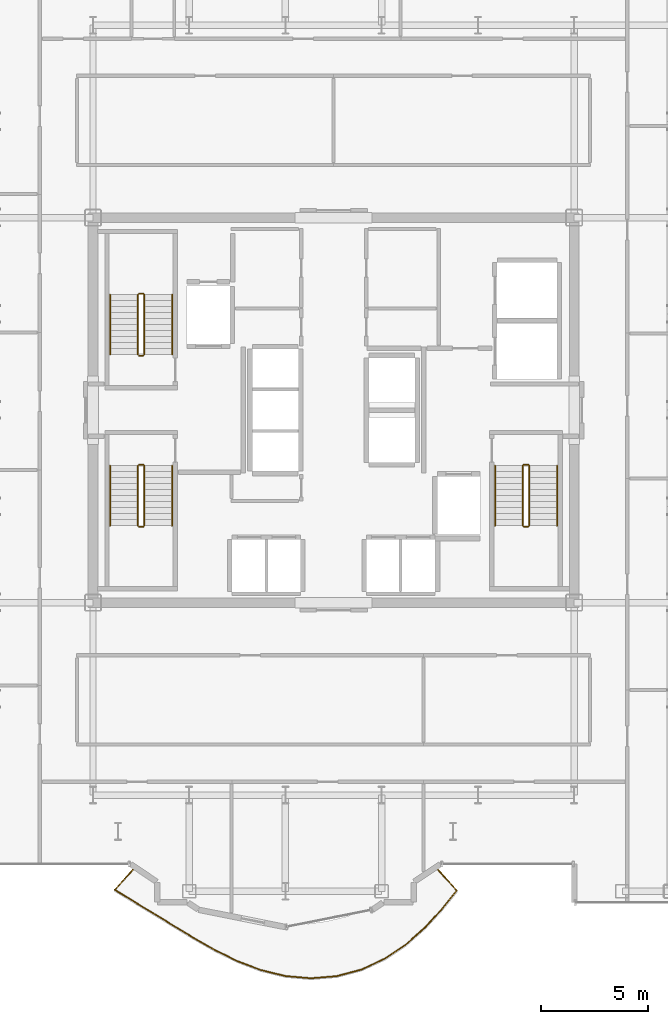
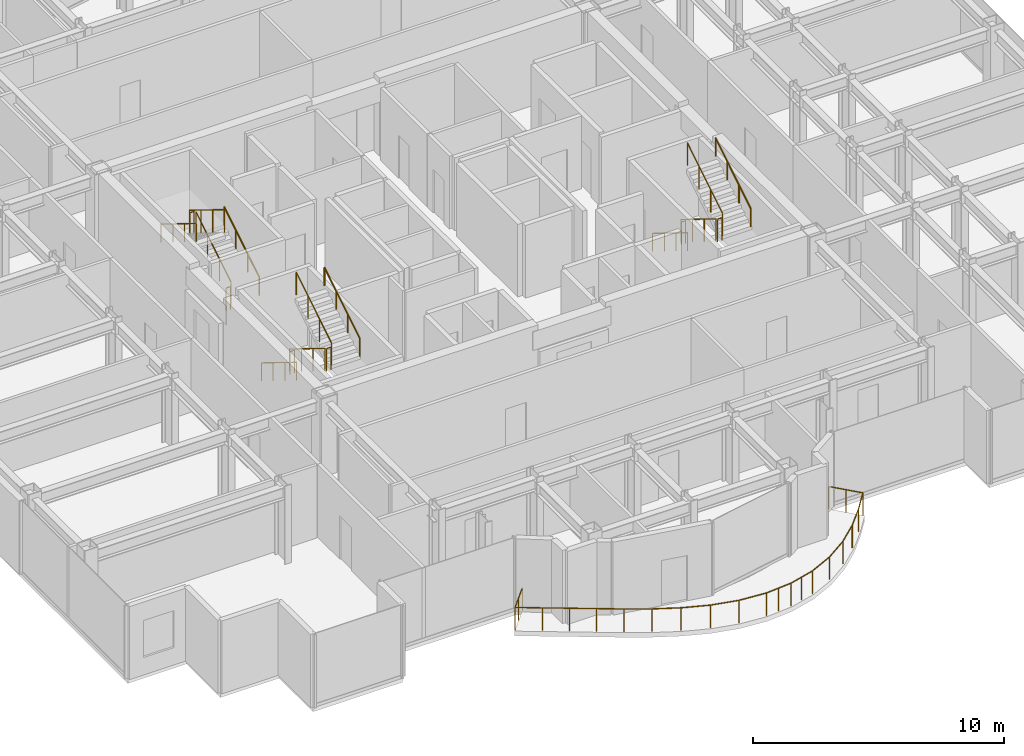
# One storey, part 21 of 22: 19 railings.
"""IFC4 building model written with IfcOpenShell, lengths in metres."""

from ifc_helpers import new_model, si_unit, direction, frame, origin, origin_2d, place, context, subcontext, project, spatial, circle, extrude, material, type_object, element, save


model = new_model("IFC4")

# Units and contexts
model_context = context("Model", 3, precision=1e-05, world=origin(), true_north=direction((0.0, 1.0)))
body_context = subcontext(model_context, "Body", "Model", "MODEL_VIEW")
ifc_project = project(units=[si_unit("LENGTHUNIT", "METRE"), si_unit("AREAUNIT", "SQUARE_METRE"), si_unit("VOLUMEUNIT", "CUBIC_METRE"), si_unit("PLANEANGLEUNIT", "RADIAN"), si_unit("MASSUNIT", "GRAM", prefix="KILO")], contexts=[model_context])

# Site, building, storey
site_placement = place(None, origin())
site = spatial("IfcSite", under=ifc_project, at=site_placement, CompositionType="ELEMENT")
building_placement = place(site_placement, origin())
building = spatial("IfcBuilding", under=site, at=building_placement, Name="Nefas-Gora Pilgrimage Tower", CompositionType="ELEMENT")
storey_placement = place(building_placement, frame((0.0, 0.0, 218.0)))
storey = spatial("IfcBuildingStorey", under=building, at=storey_placement, Name="L54", CompositionType="ELEMENT", Elevation=218.0)

# Railings
ifc_material_1 = material(Name="Laminated safety glass and stainless steel", Category="steel")
railing_type_1 = type_object("IfcRailingType", Name="RLG-BAL-1100", PredefinedType="BALUSTRADE", material=ifc_material_1)
railing_1_placement = place(storey_placement, frame((-9.302490234375, -21.402587890625, 0.0)))
element("IfcRailing", 1, at=railing_1_placement, inside=storey, type_object=railing_type_1, Name="L54 Wave Balcony Balustrade S2", PredefinedType="BALUSTRADE", context=body_context, shape_type="SweptSolid", body=[
    extrude(circle(Radius=0.02392578125, at=origin_2d()), frame((0.0, 0.0, 1.09619140625), z_axis=(-0.669217868333, -0.743066245165, 0.0), x_axis=(0.743066245165, -0.669217868333, 0.0)), (0.0, 0.0, 1.0), 1.38525390625),
    extrude(circle(Radius=0.02392578125, at=origin_2d()), frame((-0.927001953125, -1.029296875, 1.09619140625), z_axis=(0.852658885571, -0.522468013238, 0.0), x_axis=(0.522468013238, 0.852658885571, 0.0)), (0.0, 0.0, 1.0), 1.095703125),
    extrude(circle(Radius=0.02392578125, at=origin_2d()), frame((0.00732421875, -1.601806640625, 1.09619140625), z_axis=(0.855124780813, -0.518422230657, 0.0), x_axis=(0.518422230657, 0.855124780813, 0.0)), (0.0, 0.0, 1.0), 1.077392578125),
    extrude(circle(Radius=0.02392578125, at=origin_2d()), frame((0.9287109375, -2.160400390625, 1.09619140625), z_axis=(0.852777131159, -0.522274989418, 0.0), x_axis=(0.522274989418, 0.852777131159, 0.0)), (0.0, 0.0, 1.0), 1.076904296875),
    extrude(circle(Radius=0.02392578125, at=origin_2d()), frame((1.84716796875, -2.722900390625, 1.09619140625), z_axis=(0.854684994475, -0.519146954358, 0.0), x_axis=(0.519146954358, 0.854684994475, 0.0)), (0.0, 0.0, 1.0), 1.09423828125),
    extrude(circle(Radius=0.02392578125, at=origin_2d()), frame((2.782470703125, -3.291015625, 1.09619140625), z_axis=(0.868857666147, -0.495061971856, 0.0), x_axis=(0.495061971856, 0.868857666147, 0.0)), (0.0, 0.0, 1.0), 1.123291015625),
    extrude(circle(Radius=0.02392578125, at=origin_2d()), frame((3.758544921875, -3.84716796875, 1.09619140625), z_axis=(0.896659173932, -0.442721499142, 0.0), x_axis=(0.442721499142, 0.896659173932, 0.0)), (0.0, 0.0, 1.0), 1.153564453125),
    extrude(circle(Radius=0.02392578125, at=origin_2d()), frame((4.79296875, -4.35791015625, 1.09619140625), z_axis=(0.934122957215, -0.356951398377, 0.0), x_axis=(0.356951398377, 0.934122957215, 0.0)), (0.0, 0.0, 1.0), 1.178466796875),
    extrude(circle(Radius=0.02392578125, at=origin_2d()), frame((5.893798828125, -4.778564453125, 1.09619140625), z_axis=(0.97145249085, -0.237234183922, 0.0), x_axis=(0.237234183922, 0.97145249085, 0.0)), (0.0, 0.0, 1.0), 1.192626953125),
    extrude(circle(Radius=0.02392578125, at=origin_2d()), frame((7.052490234375, -5.0615234375, 1.09619140625), z_axis=(0.99619460159, -0.087156845765, 0.0), x_axis=(0.087156845765, 0.99619460159, 0.0)), (0.0, 0.0, 1.0), 1.198974609375),
    extrude(circle(Radius=0.02392578125, at=origin_2d()), frame((8.246826171875, -5.166015625, 1.09619140625), z_axis=(0.996586307441, 0.082557445587, 0.0), x_axis=(-0.082557445587, 0.996586307441, 0.0)), (0.0, 0.0, 1.0), 1.20068359375),
    extrude(circle(Radius=0.02392578125, at=origin_2d()), frame((9.443359375, -5.06689453125, 1.09619140625), z_axis=(0.966180913081, 0.257865164763, 0.0), x_axis=(-0.257865164763, 0.966180913081, 0.0)), (0.0, 0.0, 1.0), 1.200439453125),
    extrude(circle(Radius=0.02392578125, at=origin_2d()), frame((10.603271484375, -4.75732421875, 1.09619140625), z_axis=(0.907111664378, 0.420890043063, 0.0), x_axis=(-0.420890043063, 0.907111664378, 0.0)), (0.0, 0.0, 1.0), 1.199462890625),
    extrude(circle(Radius=0.02392578125, at=origin_2d()), frame((11.69140625, -4.25244140625, 1.09619140625), z_axis=(0.829780590571, 0.558089752201, 0.0), x_axis=(-0.558089752201, 0.829780590571, 0.0)), (0.0, 0.0, 1.0), 1.195068359375),
    extrude(circle(Radius=0.02392578125, at=origin_2d()), frame((12.68310546875, -3.58544921875, 1.09619140625), z_axis=(0.748330645695, 0.663325896308, 0.0), x_axis=(-0.663325896308, 0.748330645695, 0.0)), (0.0, 0.0, 1.0), 1.183349609375),
    extrude(circle(Radius=0.02392578125, at=origin_2d()), frame((13.568603515625, -2.800537109375, 1.09619140625), z_axis=(0.676400344051, 0.736534163883, 0.0), x_axis=(-0.736534163883, 0.676400344051, 0.0)), (0.0, 0.0, 1.0), 1.1611328125),
    extrude(circle(Radius=0.02392578125, at=origin_2d()), frame((14.35400390625, -1.9453125, 1.09619140625), z_axis=(0.624326656169, 0.781163380092, 0.0), x_axis=(-0.781163380092, 0.624326656169, 0.0)), (0.0, 0.0, 1.0), 1.131591796875),
    extrude(circle(Radius=0.02392578125, at=origin_2d()), frame((15.060546875, -1.061279296875, 1.09619140625), z_axis=(-0.669125283262, 0.743149618381, 0.0), x_axis=(-0.743149618381, -0.669125283262, 0.0)), (0.0, 0.0, 1.0), 1.427978515625),
    extrude(circle(Radius=0.02099609375, at=origin_2d()), origin(), (0.0, 0.0, 1.0), 1.072021484375),
    extrude(circle(Radius=0.02099609375, at=origin_2d()), frame((-0.46337890625, -0.5146484375, 0.0)), (0.0, 0.0, 1.0), 1.072021484375),
    extrude(circle(Radius=0.02099609375, at=origin_2d()), frame((-0.927001953125, -1.029296875, 0.0)), (0.0, 0.0, 1.0), 1.072021484375),
    extrude(circle(Radius=0.02099609375, at=origin_2d()), frame((0.00732421875, -1.601806640625, 0.0)), (0.0, 0.0, 1.0), 1.072021484375),
    extrude(circle(Radius=0.02099609375, at=origin_2d()), frame((0.9287109375, -2.160400390625, 0.0)), (0.0, 0.0, 1.0), 1.072021484375),
    extrude(circle(Radius=0.02099609375, at=origin_2d()), frame((1.84716796875, -2.722900390625, 0.0)), (0.0, 0.0, 1.0), 1.072021484375),
    extrude(circle(Radius=0.02099609375, at=origin_2d()), frame((2.782470703125, -3.291015625, 0.0)), (0.0, 0.0, 1.0), 1.072021484375),
    extrude(circle(Radius=0.02099609375, at=origin_2d()), frame((3.758544921875, -3.84716796875, 0.0)), (0.0, 0.0, 1.0), 1.072021484375),
    extrude(circle(Radius=0.02099609375, at=origin_2d()), frame((4.79296875, -4.35791015625, 0.0)), (0.0, 0.0, 1.0), 1.072021484375),
    extrude(circle(Radius=0.02099609375, at=origin_2d()), frame((5.893798828125, -4.778564453125, 0.0)), (0.0, 0.0, 1.0), 1.072021484375),
    extrude(circle(Radius=0.02099609375, at=origin_2d()), frame((7.052490234375, -5.0615234375, 0.0)), (0.0, 0.0, 1.0), 1.072021484375),
    extrude(circle(Radius=0.02099609375, at=origin_2d()), frame((8.246826171875, -5.166015625, 0.0)), (0.0, 0.0, 1.0), 1.072021484375),
    extrude(circle(Radius=0.02099609375, at=origin_2d()), frame((8.84521484375, -5.116455078125, 0.0)), (0.0, 0.0, 1.0), 1.072021484375),
    extrude(circle(Radius=0.02099609375, at=origin_2d()), frame((9.443359375, -5.06689453125, 0.0)), (0.0, 0.0, 1.0), 1.072021484375),
    extrude(circle(Radius=0.02099609375, at=origin_2d()), frame((10.0234375, -4.912109375, 0.0)), (0.0, 0.0, 1.0), 1.072021484375),
    extrude(circle(Radius=0.02099609375, at=origin_2d()), frame((10.603271484375, -4.75732421875, 0.0)), (0.0, 0.0, 1.0), 1.072021484375),
    extrude(circle(Radius=0.02099609375, at=origin_2d()), frame((11.69140625, -4.25244140625, 0.0)), (0.0, 0.0, 1.0), 1.072021484375),
    extrude(circle(Radius=0.02099609375, at=origin_2d()), frame((12.68310546875, -3.58544921875, 0.0)), (0.0, 0.0, 1.0), 1.072021484375),
    extrude(circle(Radius=0.02099609375, at=origin_2d()), frame((13.568603515625, -2.800537109375, 0.0)), (0.0, 0.0, 1.0), 1.072021484375),
    extrude(circle(Radius=0.02099609375, at=origin_2d()), frame((14.35400390625, -1.9453125, 0.0)), (0.0, 0.0, 1.0), 1.072021484375),
    extrude(circle(Radius=0.02099609375, at=origin_2d()), frame((15.060546875, -1.061279296875, 0.0)), (0.0, 0.0, 1.0), 1.072021484375),
    extrude(circle(Radius=0.02099609375, at=origin_2d()), frame((14.582763671875, -0.53076171875, 0.0)), (0.0, 0.0, 1.0), 1.072021484375),
    extrude(circle(Radius=0.02099609375, at=origin_2d()), frame((14.10498046875, 0.0, 0.0)), (0.0, 0.0, 1.0), 1.072021484375),
])
ifc_material_2 = material(Name="Painted galvanised steel", Category="steel")
railing_type_2 = type_object("IfcRailingType", Name="RLG-STR-GUARD-1100", PredefinedType="GUARDRAIL", material=ifc_material_2)
railing_2_placement = place(storey_placement, frame((-8.85009765625, 2.60009765625, 0.172607421875)))
element("IfcRailing", 2, at=railing_2_placement, inside=storey, type_object=railing_type_2, Name="L54 ST-01 stair guard 1", PredefinedType="GUARDRAIL", context=body_context, shape_type="SweptSolid", body=[
    extrude(circle(Radius=0.02392578125, at=origin_2d()), frame((0.0, 0.0, 1.09619140625), z_axis=(0.0, 0.851069175582, 0.525053576669), x_axis=(-1.0, 0.0, 0.0)), (0.0, 0.0, 1.0), 3.289794921875),
    extrude(circle(Radius=0.02099609375, at=origin_2d()), origin(), (0.0, 0.0, 1.0), 1.072021484375),
    extrude(circle(Radius=0.02099609375, at=origin_2d()), frame((0.0, 0.933349609375, 0.57568359375)), (0.0, 0.0, 1.0), 1.072021484375),
    extrude(circle(Radius=0.02099609375, at=origin_2d()), frame((0.0, 1.866455078125, 1.151611328125)), (0.0, 0.0, 1.0), 1.072021484375),
    extrude(circle(Radius=0.02099609375, at=origin_2d()), frame((0.0, 2.7998046875, 1.727294921875)), (0.0, 0.0, 1.0), 1.072021484375),
])
railing_3_placement = place(storey_placement, frame((-8.89990234375, 5.449951171875, 1.89990234375)))
element("IfcRailing", 3, at=railing_3_placement, inside=storey, type_object=railing_type_2, Name="L54 ST-01 stair guard 2", PredefinedType="GUARDRAIL", context=body_context, shape_type="SweptSolid", body=[
    extrude(circle(Radius=0.02392578125, at=origin_2d()), frame((0.0, 0.0, 1.09619140625), z_axis=(-1.0, 0.0, 0.0), x_axis=(0.0, -1.0, 0.0)), (0.0, 0.0, 1.0), 0.2001953125),
    extrude(circle(Radius=0.02099609375, at=origin_2d()), origin(), (0.0, 0.0, 1.0), 1.072021484375),
    extrude(circle(Radius=0.02099609375, at=origin_2d()), frame((-0.2001953125, 0.0, 0.0)), (0.0, 0.0, 1.0), 1.072021484375),
])
railing_4_placement = place(storey_placement, frame((-9.14990234375, 5.39990234375, 2.07275390625)))
element("IfcRailing", 4, at=railing_4_placement, inside=storey, type_object=railing_type_2, Name="L54 ST-01 stair guard 3", PredefinedType="GUARDRAIL", context=body_context, shape_type="SweptSolid", body=[
    extrude(circle(Radius=0.02392578125, at=origin_2d()), frame((0.0, 0.0, 1.09619140625), z_axis=(0.0, -0.851069175582, 0.525053576669), x_axis=(1.0, 0.0, 0.0)), (0.0, 0.0, 1.0), 3.289794921875),
    extrude(circle(Radius=0.02099609375, at=origin_2d()), origin(), (0.0, 0.0, 1.0), 1.072021484375),
    extrude(circle(Radius=0.02099609375, at=origin_2d()), frame((0.0, -0.933349609375, 0.57568359375)), (0.0, 0.0, 1.0), 1.072021484375),
    extrude(circle(Radius=0.02099609375, at=origin_2d()), frame((0.0, -1.866455078125, 1.151611328125)), (0.0, 0.0, 1.0), 1.072021484375),
    extrude(circle(Radius=0.02099609375, at=origin_2d()), frame((0.0, -2.7998046875, 1.727294921875)), (0.0, 0.0, 1.0), 1.072021484375),
])
railing_5_placement = place(storey_placement, frame((-8.89990234375, 2.550048828125, 0.0)))
element("IfcRailing", 5, at=railing_5_placement, inside=storey, type_object=railing_type_2, Name="L54 ST-01 stair guard 4", PredefinedType="GUARDRAIL", context=body_context, shape_type="SweptSolid", body=[
    extrude(circle(Radius=0.02392578125, at=origin_2d()), frame((0.0, 0.0, 1.09619140625), z_axis=(-1.0, 0.0, 0.0), x_axis=(0.0, -1.0, 0.0)), (0.0, 0.0, 1.0), 0.2001953125),
    extrude(circle(Radius=0.02099609375, at=origin_2d()), origin(), (0.0, 0.0, 1.0), 1.072021484375),
    extrude(circle(Radius=0.02099609375, at=origin_2d()), frame((-0.2001953125, 0.0, 0.0)), (0.0, 0.0, 1.0), 1.072021484375),
])
railing_6_placement = place(storey_placement, frame((8.85009765625, -2.60009765625, 0.172607421875)))
element("IfcRailing", 6, at=railing_6_placement, inside=storey, type_object=railing_type_2, Name="L54 ST-02 stair guard 1", PredefinedType="GUARDRAIL", context=body_context, shape_type="SweptSolid", body=[
    extrude(circle(Radius=0.02392578125, at=origin_2d()), frame((0.0, 0.0, 1.09619140625), z_axis=(0.0, -0.851069175582, 0.525053576669), x_axis=(1.0, 0.0, 0.0)), (0.0, 0.0, 1.0), 3.289794921875),
    extrude(circle(Radius=0.02099609375, at=origin_2d()), origin(), (0.0, 0.0, 1.0), 1.072021484375),
    extrude(circle(Radius=0.02099609375, at=origin_2d()), frame((0.0, -0.933349609375, 0.57568359375)), (0.0, 0.0, 1.0), 1.072021484375),
    extrude(circle(Radius=0.02099609375, at=origin_2d()), frame((0.0, -1.866455078125, 1.151611328125)), (0.0, 0.0, 1.0), 1.072021484375),
    extrude(circle(Radius=0.02099609375, at=origin_2d()), frame((0.0, -2.7998046875, 1.727294921875)), (0.0, 0.0, 1.0), 1.072021484375),
])
railing_7_placement = place(storey_placement, frame((8.89990234375, -5.449951171875, 1.89990234375)))
element("IfcRailing", 7, at=railing_7_placement, inside=storey, type_object=railing_type_2, Name="L54 ST-02 stair guard 2", PredefinedType="GUARDRAIL", context=body_context, shape_type="SweptSolid", body=[
    extrude(circle(Radius=0.02392578125, at=origin_2d()), frame((0.0, 0.0, 1.09619140625), z_axis=(1.0, 0.0, 0.0), x_axis=(0.0, 1.0, 0.0)), (0.0, 0.0, 1.0), 0.2001953125),
    extrude(circle(Radius=0.02099609375, at=origin_2d()), origin(), (0.0, 0.0, 1.0), 1.072021484375),
    extrude(circle(Radius=0.02099609375, at=origin_2d()), frame((0.2001953125, 0.0, 0.0)), (0.0, 0.0, 1.0), 1.072021484375),
])
railing_8_placement = place(storey_placement, frame((9.14990234375, -5.39990234375, 2.07275390625)))
element("IfcRailing", 8, at=railing_8_placement, inside=storey, type_object=railing_type_2, Name="L54 ST-02 stair guard 3", PredefinedType="GUARDRAIL", context=body_context, shape_type="SweptSolid", body=[
    extrude(circle(Radius=0.02392578125, at=origin_2d()), frame((0.0, 0.0, 1.09619140625), z_axis=(0.0, 0.851069175582, 0.525053576669), x_axis=(-1.0, 0.0, 0.0)), (0.0, 0.0, 1.0), 3.289794921875),
    extrude(circle(Radius=0.02099609375, at=origin_2d()), origin(), (0.0, 0.0, 1.0), 1.072021484375),
    extrude(circle(Radius=0.02099609375, at=origin_2d()), frame((0.0, 0.933349609375, 0.57568359375)), (0.0, 0.0, 1.0), 1.072021484375),
    extrude(circle(Radius=0.02099609375, at=origin_2d()), frame((0.0, 1.866455078125, 1.151611328125)), (0.0, 0.0, 1.0), 1.072021484375),
    extrude(circle(Radius=0.02099609375, at=origin_2d()), frame((0.0, 2.7998046875, 1.727294921875)), (0.0, 0.0, 1.0), 1.072021484375),
])
railing_9_placement = place(storey_placement, frame((8.89990234375, -2.550048828125, 0.0)))
element("IfcRailing", 9, at=railing_9_placement, inside=storey, type_object=railing_type_2, Name="L54 ST-02 stair guard 4", PredefinedType="GUARDRAIL", context=body_context, shape_type="SweptSolid", body=[
    extrude(circle(Radius=0.02392578125, at=origin_2d()), frame((0.0, 0.0, 1.09619140625), z_axis=(1.0, 0.0, 0.0), x_axis=(0.0, 1.0, 0.0)), (0.0, 0.0, 1.0), 0.2001953125),
    extrude(circle(Radius=0.02099609375, at=origin_2d()), origin(), (0.0, 0.0, 1.0), 1.072021484375),
    extrude(circle(Radius=0.02099609375, at=origin_2d()), frame((0.2001953125, 0.0, 0.0)), (0.0, 0.0, 1.0), 1.072021484375),
])
railing_10_placement = place(storey_placement, frame((-9.14990234375, -2.60009765625, 0.172607421875)))
element("IfcRailing", 10, at=railing_10_placement, inside=storey, type_object=railing_type_2, Name="L54 ST-03 stair guard 1", PredefinedType="GUARDRAIL", context=body_context, shape_type="SweptSolid", body=[
    extrude(circle(Radius=0.02392578125, at=origin_2d()), frame((0.0, 0.0, 1.09619140625), z_axis=(0.0, -0.851069175582, 0.525053576669), x_axis=(1.0, 0.0, 0.0)), (0.0, 0.0, 1.0), 3.289794921875),
    extrude(circle(Radius=0.02099609375, at=origin_2d()), origin(), (0.0, 0.0, 1.0), 1.072021484375),
    extrude(circle(Radius=0.02099609375, at=origin_2d()), frame((0.0, -0.933349609375, 0.57568359375)), (0.0, 0.0, 1.0), 1.072021484375),
    extrude(circle(Radius=0.02099609375, at=origin_2d()), frame((0.0, -1.866455078125, 1.151611328125)), (0.0, 0.0, 1.0), 1.072021484375),
    extrude(circle(Radius=0.02099609375, at=origin_2d()), frame((0.0, -2.7998046875, 1.727294921875)), (0.0, 0.0, 1.0), 1.072021484375),
])
railing_11_placement = place(storey_placement, frame((-9.10009765625, -5.449951171875, 1.89990234375)))
element("IfcRailing", 11, at=railing_11_placement, inside=storey, type_object=railing_type_2, Name="L54 ST-03 stair guard 2", PredefinedType="GUARDRAIL", context=body_context, shape_type="SweptSolid", body=[
    extrude(circle(Radius=0.02392578125, at=origin_2d()), frame((0.0, 0.0, 1.09619140625), z_axis=(1.0, 0.0, 0.0), x_axis=(0.0, 1.0, 0.0)), (0.0, 0.0, 1.0), 0.2001953125),
    extrude(circle(Radius=0.02099609375, at=origin_2d()), origin(), (0.0, 0.0, 1.0), 1.072021484375),
    extrude(circle(Radius=0.02099609375, at=origin_2d()), frame((0.2001953125, 0.0, 0.0)), (0.0, 0.0, 1.0), 1.072021484375),
])
railing_12_placement = place(storey_placement, frame((-8.85009765625, -5.39990234375, 2.07275390625)))
element("IfcRailing", 12, at=railing_12_placement, inside=storey, type_object=railing_type_2, Name="L54 ST-03 stair guard 3", PredefinedType="GUARDRAIL", context=body_context, shape_type="SweptSolid", body=[
    extrude(circle(Radius=0.02392578125, at=origin_2d()), frame((0.0, 0.0, 1.09619140625), z_axis=(0.0, 0.851069175582, 0.525053576669), x_axis=(-1.0, 0.0, 0.0)), (0.0, 0.0, 1.0), 3.289794921875),
    extrude(circle(Radius=0.02099609375, at=origin_2d()), origin(), (0.0, 0.0, 1.0), 1.072021484375),
    extrude(circle(Radius=0.02099609375, at=origin_2d()), frame((0.0, 0.933349609375, 0.57568359375)), (0.0, 0.0, 1.0), 1.072021484375),
    extrude(circle(Radius=0.02099609375, at=origin_2d()), frame((0.0, 1.866455078125, 1.151611328125)), (0.0, 0.0, 1.0), 1.072021484375),
    extrude(circle(Radius=0.02099609375, at=origin_2d()), frame((0.0, 2.7998046875, 1.727294921875)), (0.0, 0.0, 1.0), 1.072021484375),
])
railing_13_placement = place(storey_placement, frame((-9.10009765625, -2.550048828125, 0.0)))
element("IfcRailing", 13, at=railing_13_placement, inside=storey, type_object=railing_type_2, Name="L54 ST-03 stair guard 4", PredefinedType="GUARDRAIL", context=body_context, shape_type="SweptSolid", body=[
    extrude(circle(Radius=0.02392578125, at=origin_2d()), frame((0.0, 0.0, 1.09619140625), z_axis=(1.0, 0.0, 0.0), x_axis=(0.0, 1.0, 0.0)), (0.0, 0.0, 1.0), 0.2001953125),
    extrude(circle(Radius=0.02099609375, at=origin_2d()), origin(), (0.0, 0.0, 1.0), 1.072021484375),
    extrude(circle(Radius=0.02099609375, at=origin_2d()), frame((0.2001953125, 0.0, 0.0)), (0.0, 0.0, 1.0), 1.072021484375),
])
ifc_material_3 = material(Name="Brushed stainless steel", Category="steel")
railing_type_3 = type_object("IfcRailingType", Name="RLG-STR-HAND-900", PredefinedType="HANDRAIL", material=ifc_material_3)
railing_14_placement = place(storey_placement, frame((-7.550048828125, 2.60009765625, 0.172607421875)))
element("IfcRailing", 14, at=railing_14_placement, inside=storey, type_object=railing_type_3, Name="L54 ST-01 stair handrail 1", PredefinedType="HANDRAIL", context=body_context, shape_type="SweptSolid", body=[
    extrude(circle(Radius=0.02392578125, at=origin_2d()), frame((0.0, 0.0, 0.8759765625), z_axis=(0.0, 0.851069175582, 0.525053576669), x_axis=(-1.0, 0.0, 0.0)), (0.0, 0.0, 1.0), 3.289794921875),
    extrude(circle(Radius=0.02099609375, at=origin_2d()), origin(), (0.0, 0.0, 1.0), 0.851806640625),
    extrude(circle(Radius=0.02099609375, at=origin_2d()), frame((0.0, 0.933349609375, 0.57568359375)), (0.0, 0.0, 1.0), 0.851806640625),
    extrude(circle(Radius=0.02099609375, at=origin_2d()), frame((0.0, 1.866455078125, 1.151611328125)), (0.0, 0.0, 1.0), 0.851806640625),
    extrude(circle(Radius=0.02099609375, at=origin_2d()), frame((0.0, 2.7998046875, 1.727294921875)), (0.0, 0.0, 1.0), 0.851806640625),
])
for number, where, name in (
    (15, (-10.449951171875, 5.39990234375, 2.07275390625), "L54 ST-01 stair handrail 2"),
    (16, (7.550048828125, -2.60009765625, 0.172607421875), "L54 ST-02 stair handrail 1"),
):
    element("IfcRailing", number, at=place(storey_placement, frame(where)), inside=storey, type_object=railing_type_3, Name=name, PredefinedType="HANDRAIL", context=body_context, shape_type="SweptSolid", body=[
        extrude(circle(Radius=0.02392578125, at=origin_2d()), frame((0.0, 0.0, 0.8759765625), z_axis=(0.0, -0.851069175582, 0.525053576669), x_axis=(1.0, 0.0, 0.0)), (0.0, 0.0, 1.0), 3.289794921875),
        extrude(circle(Radius=0.02099609375, at=origin_2d()), origin(), (0.0, 0.0, 1.0), 0.851806640625),
        extrude(circle(Radius=0.02099609375, at=origin_2d()), frame((0.0, -0.933349609375, 0.57568359375)), (0.0, 0.0, 1.0), 0.851806640625),
        extrude(circle(Radius=0.02099609375, at=origin_2d()), frame((0.0, -1.866455078125, 1.151611328125)), (0.0, 0.0, 1.0), 0.851806640625),
        extrude(circle(Radius=0.02099609375, at=origin_2d()), frame((0.0, -2.7998046875, 1.727294921875)), (0.0, 0.0, 1.0), 0.851806640625),
    ])
railing_15_placement = place(storey_placement, frame((10.449951171875, -5.39990234375, 2.07275390625)))
element("IfcRailing", 17, at=railing_15_placement, inside=storey, type_object=railing_type_3, Name="L54 ST-02 stair handrail 2", PredefinedType="HANDRAIL", context=body_context, shape_type="SweptSolid", body=[
    extrude(circle(Radius=0.02392578125, at=origin_2d()), frame((0.0, 0.0, 0.8759765625), z_axis=(0.0, 0.851069175582, 0.525053576669), x_axis=(-1.0, 0.0, 0.0)), (0.0, 0.0, 1.0), 3.289794921875),
    extrude(circle(Radius=0.02099609375, at=origin_2d()), origin(), (0.0, 0.0, 1.0), 0.851806640625),
    extrude(circle(Radius=0.02099609375, at=origin_2d()), frame((0.0, 0.933349609375, 0.57568359375)), (0.0, 0.0, 1.0), 0.851806640625),
    extrude(circle(Radius=0.02099609375, at=origin_2d()), frame((0.0, 1.866455078125, 1.151611328125)), (0.0, 0.0, 1.0), 0.851806640625),
    extrude(circle(Radius=0.02099609375, at=origin_2d()), frame((0.0, 2.7998046875, 1.727294921875)), (0.0, 0.0, 1.0), 0.851806640625),
])
railing_16_placement = place(storey_placement, frame((-10.449951171875, -2.60009765625, 0.172607421875)))
element("IfcRailing", 18, at=railing_16_placement, inside=storey, type_object=railing_type_3, Name="L54 ST-03 stair handrail 1", PredefinedType="HANDRAIL", context=body_context, shape_type="SweptSolid", body=[
    extrude(circle(Radius=0.02392578125, at=origin_2d()), frame((0.0, 0.0, 0.8759765625), z_axis=(0.0, -0.851069175582, 0.525053576669), x_axis=(1.0, 0.0, 0.0)), (0.0, 0.0, 1.0), 3.289794921875),
    extrude(circle(Radius=0.02099609375, at=origin_2d()), origin(), (0.0, 0.0, 1.0), 0.851806640625),
    extrude(circle(Radius=0.02099609375, at=origin_2d()), frame((0.0, -0.933349609375, 0.57568359375)), (0.0, 0.0, 1.0), 0.851806640625),
    extrude(circle(Radius=0.02099609375, at=origin_2d()), frame((0.0, -1.866455078125, 1.151611328125)), (0.0, 0.0, 1.0), 0.851806640625),
    extrude(circle(Radius=0.02099609375, at=origin_2d()), frame((0.0, -2.7998046875, 1.727294921875)), (0.0, 0.0, 1.0), 0.851806640625),
])
railing_17_placement = place(storey_placement, frame((-7.550048828125, -5.39990234375, 2.07275390625)))
element("IfcRailing", 19, at=railing_17_placement, inside=storey, type_object=railing_type_3, Name="L54 ST-03 stair handrail 2", PredefinedType="HANDRAIL", context=body_context, shape_type="SweptSolid", body=[
    extrude(circle(Radius=0.02392578125, at=origin_2d()), frame((0.0, 0.0, 0.8759765625), z_axis=(0.0, 0.851069175582, 0.525053576669), x_axis=(-1.0, 0.0, 0.0)), (0.0, 0.0, 1.0), 3.289794921875),
    extrude(circle(Radius=0.02099609375, at=origin_2d()), origin(), (0.0, 0.0, 1.0), 0.851806640625),
    extrude(circle(Radius=0.02099609375, at=origin_2d()), frame((0.0, 0.933349609375, 0.57568359375)), (0.0, 0.0, 1.0), 0.851806640625),
    extrude(circle(Radius=0.02099609375, at=origin_2d()), frame((0.0, 1.866455078125, 1.151611328125)), (0.0, 0.0, 1.0), 0.851806640625),
    extrude(circle(Radius=0.02099609375, at=origin_2d()), frame((0.0, 2.7998046875, 1.727294921875)), (0.0, 0.0, 1.0), 0.851806640625),
])

save(model, "model.ifc")
